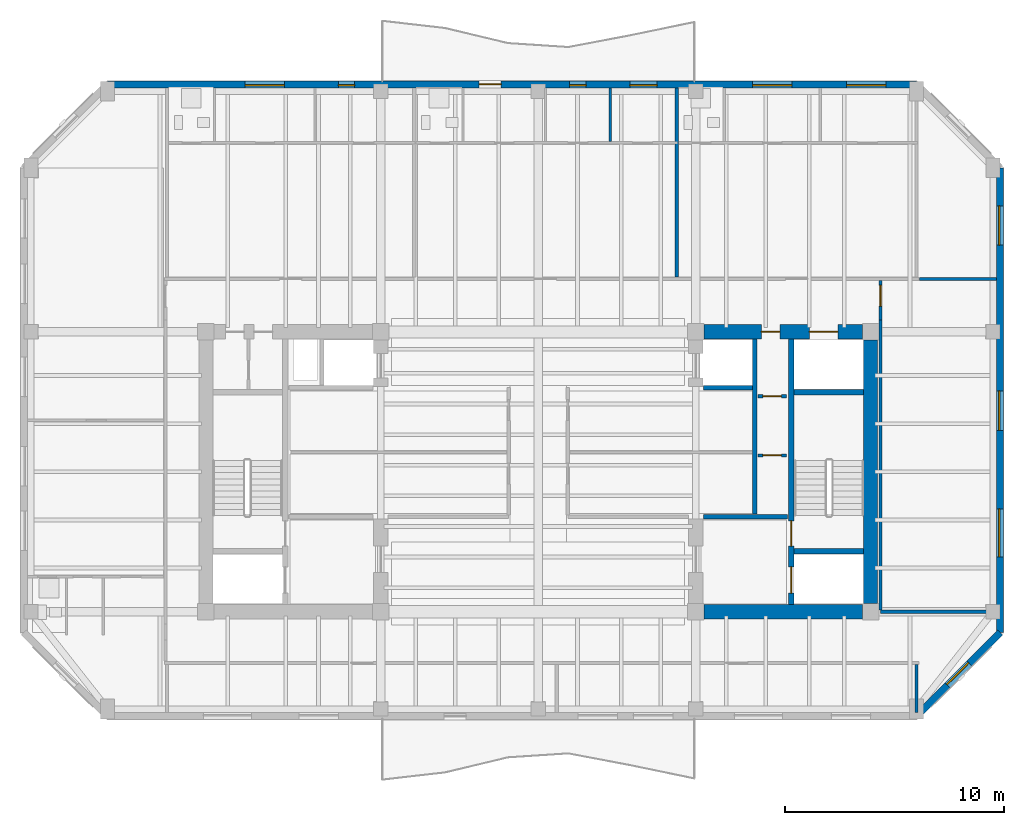
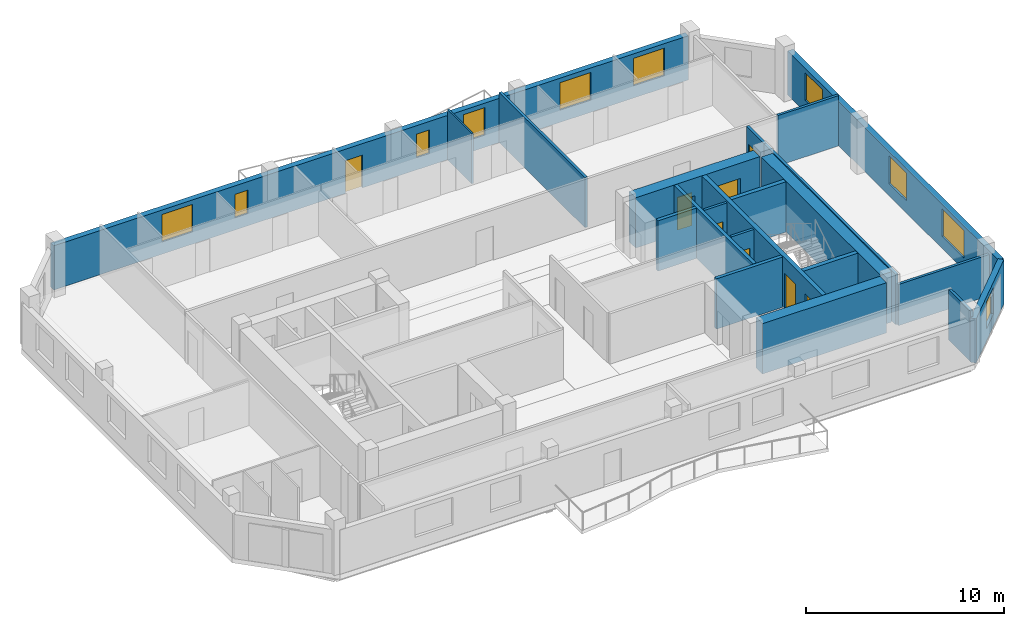
# One storey, part 5 of 10: 21 walls, 10 windows, 8 doors, 18 openings.
"""IFC4 building model written with IfcOpenShell, lengths in metres."""

from ifc_helpers import new_model, si_unit, direction, frame, frame_2d, origin, place, context, subcontext, project, spatial, rectangle, extrude, material, layer, layer_set, type_object, element, fill, save


model = new_model("IFC4")

# Units and contexts
model_context = context("Model", 3, precision=1e-05, world=origin(), true_north=direction((0.0, 1.0)))
body_context = subcontext(model_context, "Body", "Model", "MODEL_VIEW")
ifc_project = project(units=[si_unit("LENGTHUNIT", "METRE"), si_unit("AREAUNIT", "SQUARE_METRE"), si_unit("VOLUMEUNIT", "CUBIC_METRE"), si_unit("PLANEANGLEUNIT", "RADIAN"), si_unit("MASSUNIT", "GRAM", prefix="KILO")], contexts=[model_context])

# Site, building, storey
site_placement = place(None, origin())
site = spatial("IfcSite", under=ifc_project, at=site_placement, CompositionType="ELEMENT")
building_placement = place(site_placement, origin())
building = spatial("IfcBuilding", under=site, at=building_placement, Name="Kranthara Brick Stack", CompositionType="ELEMENT")
storey_placement = place(building_placement, frame((0.0, 0.0, 275.5)))
storey = spatial("IfcBuildingStorey", under=building, at=storey_placement, Name="L73", CompositionType="ELEMENT", Elevation=275.5)

# Wall, openings, door, windows
ifc_material_1 = material(Name="Warm buff clay brick masonry M15", Category="masonry")
ifc_layer_1 = layer(ifc_material_1, 0.320068359375)
ifc_layer_set_1 = layer_set([ifc_layer_1], Name="Warm buff clay brick masonry M15")
wall_type_1 = type_object("IfcWallType", Name="WL-BRK-UPPR-320", PredefinedType="STANDARD", material=ifc_layer_set_1)
wall_1_placement = place(storey_placement, frame((8.300048828125, 44.919921875, 0.0), z_axis=(0.0, 0.0, 1.0), x_axis=(1.0, 0.0, 0.0)))
wall_1 = element("IfcWall", 1, at=wall_1_placement, inside=storey, type_object=wall_type_1, Name="L73 Exterior Brick Facade Wall NORTH 1", PredefinedType="STANDARD", context=body_context, shape_type="SweptSolid", body=[
    extrude(rectangle(XDim=37.0, YDim=0.320068359375, at=frame_2d((18.5, 0.0))), origin(), (0.0, 0.0, 1.0), 2.72509765625),
])
opening_1_placement = place(wall_1_placement, frame((17.0, 0.0, 0.0)))
opening_1 = element("IfcOpeningElement", 2, at=opening_1_placement, cuts=wall_1, Name="Opening D03", PredefinedType="OPENING", context=body_context, shape_type="SweptSolid", body=[
    extrude(rectangle(XDim=1.0, YDim=2.02001953125, at=frame_2d((0.5, 1.010009765625))), frame((0.0, 0.169921875, 0.0), z_axis=(0.0, -1.0, 0.0), x_axis=(1.0, 0.0, 0.0)), (0.0, 0.0, 1.0), 0.340087890625),
])
opening_2_placement = place(wall_1_placement, frame((6.294921875, 0.0, 0.75)))
opening_2 = element("IfcOpeningElement", 3, at=opening_2_placement, cuts=wall_1, Name="Opening WN07", PredefinedType="OPENING", context=body_context, shape_type="SweptSolid", body=[
    extrude(rectangle(XDim=1.800048828125, YDim=1.699951171875, at=frame_2d((0.89990234375, 0.85009765625))), frame((0.0, 0.169921875, 0.0), z_axis=(0.0, -1.0, 0.0), x_axis=(1.0, 0.0, 0.0)), (0.0, 0.0, 1.0), 0.340087890625),
])
opening_3_placement = place(wall_1_placement, frame((23.885986328125, 0.0, 0.75)))
opening_3 = element("IfcOpeningElement", 4, at=opening_3_placement, cuts=wall_1, Name="Opening WN09", PredefinedType="OPENING", context=body_context, shape_type="SweptSolid", body=[
    extrude(rectangle(XDim=1.25, YDim=1.699951171875, at=frame_2d((0.625, 0.85009765625))), frame((0.0, 0.169921875, 0.0), z_axis=(0.0, -1.0, 0.0), x_axis=(1.0, 0.0, 0.0)), (0.0, 0.0, 1.0), 0.340087890625),
])
opening_4_placement = place(wall_1_placement, frame((29.5029296875, 0.0, 0.75)))
opening_4 = element("IfcOpeningElement", 5, at=opening_4_placement, cuts=wall_1, Name="Opening WN07", PredefinedType="OPENING", context=body_context, shape_type="SweptSolid", body=[
    extrude(rectangle(XDim=1.800048828125, YDim=1.699951171875, at=frame_2d((0.89990234375, 0.85009765625))), frame((0.0, 0.169921875, 0.0), z_axis=(0.0, -1.0, 0.0), x_axis=(1.0, 0.0, 0.0)), (0.0, 0.0, 1.0), 0.340087890625),
])
opening_5_placement = place(wall_1_placement, frame((33.798095703125, 0.0, 0.75)))
opening_5 = element("IfcOpeningElement", 6, at=opening_5_placement, cuts=wall_1, Name="Opening WN07", PredefinedType="OPENING", context=body_context, shape_type="SweptSolid", body=[
    extrude(rectangle(XDim=1.800048828125, YDim=1.699951171875, at=frame_2d((0.89990234375, 0.85009765625))), frame((0.0, 0.169921875, 0.0), z_axis=(0.0, -1.0, 0.0), x_axis=(1.0, 0.0, 0.0)), (0.0, 0.0, 1.0), 0.340087890625),
])
opening_6_placement = place(wall_1_placement, frame((10.55810546875, 0.0, 0.75)))
opening_6 = element("IfcOpeningElement", 7, at=opening_6_placement, cuts=wall_1, Name="Opening WN13", PredefinedType="OPENING", context=body_context, shape_type="SweptSolid", body=[
    extrude(rectangle(XDim=0.75, YDim=1.449951171875, at=frame_2d((0.375, 0.72509765625))), frame((0.0, 0.169921875, 0.0), z_axis=(0.0, -1.0, 0.0), x_axis=(1.0, 0.0, 0.0)), (0.0, 0.0, 1.0), 0.340087890625),
])
opening_7_placement = place(wall_1_placement, frame((21.135986328125, 0.0, 0.75)))
opening_7 = element("IfcOpeningElement", 8, at=opening_7_placement, cuts=wall_1, Name="Opening WN13", PredefinedType="OPENING", context=body_context, shape_type="SweptSolid", body=[
    extrude(rectangle(XDim=0.75, YDim=1.449951171875, at=frame_2d((0.375, 0.72509765625))), frame((0.0, 0.169921875, 0.0), z_axis=(0.0, -1.0, 0.0), x_axis=(1.0, 0.0, 0.0)), (0.0, 0.0, 1.0), 0.340087890625),
])
ifc_material_2 = material(Name="Bronze anodised aluminium and laminated glass", Category="aluminium")
door_type_1 = type_object("IfcDoorType", Name="DR-BALC-1000", OperationType="NOTDEFINED", PredefinedType="DOOR", material=ifc_material_2)
door_1_placement = place(opening_1_placement, origin())
door_1 = element("IfcDoor", 9, at=door_1_placement, inside=storey, type_object=door_type_1, Name="L73 North Balcony Terrace Door", OperationType="SINGLE_SWING_RIGHT", OverallHeight=2.02001953125, OverallWidth=1.0, PredefinedType="DOOR", context=body_context, shape_type="SweptSolid", body=[
    extrude(rectangle(XDim=1.0, YDim=2.02001953125, at=frame_2d((0.5, 1.010009765625))), frame((0.0, 0.02490234375, 0.0), z_axis=(0.0, -1.0, 0.0), x_axis=(1.0, 0.0, 0.0)), (0.0, 0.0, 1.0), 0.050048828125),
])
fill(opening_1, door_1)
ifc_material_3 = material(Name="Double-glazed low-E solar control glass", Category="glass")
window_type_1 = type_object("IfcWindowType", Name="WN-CAS-750x1450", PartitioningType="SINGLE_PANEL", PredefinedType="WINDOW", material=ifc_material_3)
window_1_placement = place(opening_6_placement, origin())
window_1 = element("IfcWindow", 10, at=window_1_placement, inside=storey, type_object=window_type_1, Name="L73 North Deep-Set Casement Window 05", OverallHeight=1.449951171875, OverallWidth=0.75, PartitioningType="SINGLE_PANEL", PredefinedType="WINDOW", context=body_context, shape_type="SweptSolid", body=[
    extrude(rectangle(XDim=0.75, YDim=1.449951171875, at=frame_2d((0.375, 0.72509765625))), frame((0.0, -0.010009765625, 0.0), z_axis=(0.0, -1.0, 0.0), x_axis=(1.0, 0.0, 0.0)), (0.0, 0.0, 1.0), 0.06005859375),
])
fill(opening_6, window_1)
window_2_placement = place(opening_7_placement, origin())
window_2 = element("IfcWindow", 11, at=window_2_placement, inside=storey, type_object=window_type_1, Name="L73 North Deep-Set Casement Window 06", OverallHeight=1.449951171875, OverallWidth=0.75, PartitioningType="SINGLE_PANEL", PredefinedType="WINDOW", context=body_context, shape_type="SweptSolid", body=[
    extrude(rectangle(XDim=0.75, YDim=1.449951171875, at=frame_2d((0.375, 0.72509765625))), frame((0.0, -0.010009765625, 0.0), z_axis=(0.0, -1.0, 0.0), x_axis=(1.0, 0.0, 0.0)), (0.0, 0.0, 1.0), 0.06005859375),
])
fill(opening_7, window_2)
ifc_material_4 = material(Name="Double-glazed low-E solar control glass", Category="glass")
window_type_2 = type_object("IfcWindowType", Name="WN-RES-1250x1850", PartitioningType="SINGLE_PANEL", PredefinedType="WINDOW", material=ifc_material_4)
window_3_placement = place(opening_3_placement, origin())
window_3 = element("IfcWindow", 12, at=window_3_placement, inside=storey, type_object=window_type_2, Name="L73 North Deep-Set Brick Window 02", OverallHeight=1.699951171875, OverallWidth=1.25, PartitioningType="SINGLE_PANEL", PredefinedType="WINDOW", context=body_context, shape_type="SweptSolid", body=[
    extrude(rectangle(XDim=1.25, YDim=1.699951171875, at=frame_2d((0.625, 0.85009765625))), frame((0.0, -0.010009765625, 0.0), z_axis=(0.0, -1.0, 0.0), x_axis=(1.0, 0.0, 0.0)), (0.0, 0.0, 1.0), 0.06005859375),
])
fill(opening_3, window_3)
ifc_material_5 = material(Name="Double-glazed low-E solar control glass", Category="glass")
window_type_3 = type_object("IfcWindowType", Name="WN-RES-1800x1850", PartitioningType="DOUBLE_PANEL_VERTICAL", PredefinedType="WINDOW", material=ifc_material_5)
window_4_placement = place(opening_2_placement, origin())
window_4 = element("IfcWindow", 13, at=window_4_placement, inside=storey, type_object=window_type_3, Name="L73 North Deep-Set Brick Window 01", OverallHeight=1.699951171875, OverallWidth=1.800048828125, PartitioningType="SINGLE_PANEL", PredefinedType="WINDOW", context=body_context, shape_type="SweptSolid", body=[
    extrude(rectangle(XDim=1.800048828125, YDim=1.699951171875, at=frame_2d((0.89990234375, 0.85009765625))), frame((0.0, -0.010009765625, 0.0), z_axis=(0.0, -1.0, 0.0), x_axis=(1.0, 0.0, 0.0)), (0.0, 0.0, 1.0), 0.06005859375),
])
fill(opening_2, window_4)
window_5_placement = place(opening_4_placement, origin())
window_5 = element("IfcWindow", 14, at=window_5_placement, inside=storey, type_object=window_type_3, Name="L73 North Deep-Set Brick Window 03", OverallHeight=1.699951171875, OverallWidth=1.800048828125, PartitioningType="SINGLE_PANEL", PredefinedType="WINDOW", context=body_context, shape_type="SweptSolid", body=[
    extrude(rectangle(XDim=1.800048828125, YDim=1.699951171875, at=frame_2d((0.89990234375, 0.85009765625))), frame((0.0, -0.010009765625, 0.0), z_axis=(0.0, -1.0, 0.0), x_axis=(1.0, 0.0, 0.0)), (0.0, 0.0, 1.0), 0.06005859375),
])
fill(opening_4, window_5)
window_6_placement = place(opening_5_placement, origin())
window_6 = element("IfcWindow", 15, at=window_6_placement, inside=storey, type_object=window_type_3, Name="L73 North Deep-Set Brick Window 04", OverallHeight=1.699951171875, OverallWidth=1.800048828125, PartitioningType="SINGLE_PANEL", PredefinedType="WINDOW", context=body_context, shape_type="SweptSolid", body=[
    extrude(rectangle(XDim=1.800048828125, YDim=1.699951171875, at=frame_2d((0.89990234375, 0.85009765625))), frame((0.0, -0.010009765625, 0.0), z_axis=(0.0, -1.0, 0.0), x_axis=(1.0, 0.0, 0.0)), (0.0, 0.0, 1.0), 0.06005859375),
])
fill(opening_5, window_6)

# Wall, openings, windows
wall_2_placement = place(storey_placement, frame((49.1201171875, 41.10009765625, 0.0), z_axis=(0.0, 0.0, 1.0), x_axis=(0.0, -1.0, 0.0)))
wall_2 = element("IfcWall", 16, at=wall_2_placement, inside=storey, type_object=wall_type_1, Name="L73 Exterior Brick Facade Wall EAST 1", PredefinedType="STANDARD", context=body_context, shape_type="SweptSolid", body=[
    extrude(rectangle(XDim=21.25, YDim=0.320068359375, at=frame_2d((10.625, 0.0))), origin(), (0.0, 0.0, 1.0), 2.72509765625),
])
opening_8_placement = place(wall_2_placement, frame((1.739990234375, 0.0, 0.75)))
opening_8 = element("IfcOpeningElement", 17, at=opening_8_placement, cuts=wall_2, Name="Opening WN07", PredefinedType="OPENING", context=body_context, shape_type="SweptSolid", body=[
    extrude(rectangle(XDim=1.800048828125, YDim=1.699951171875, at=frame_2d((0.89990234375, 0.85009765625))), frame((0.0, 0.169921875, 0.0), z_axis=(0.0, -1.0, 0.0), x_axis=(1.0, 0.0, 0.0)), (0.0, 0.0, 1.0), 0.340087890625),
])
opening_9_placement = place(wall_2_placement, frame((10.2041015625, 0.0, 0.75)))
opening_9 = element("IfcOpeningElement", 18, at=opening_9_placement, cuts=wall_2, Name="Opening WN07", PredefinedType="OPENING", context=body_context, shape_type="SweptSolid", body=[
    extrude(rectangle(XDim=1.800048828125, YDim=1.699951171875, at=frame_2d((0.89990234375, 0.85009765625))), frame((0.0, 0.169921875, 0.0), z_axis=(0.0, -1.0, 0.0), x_axis=(1.0, 0.0, 0.0)), (0.0, 0.0, 1.0), 0.340087890625),
])
opening_10_placement = place(wall_2_placement, frame((15.595947265625, 0.0, 0.75)))
opening_10 = element("IfcOpeningElement", 19, at=opening_10_placement, cuts=wall_2, Name="Opening WN08", PredefinedType="OPENING", context=body_context, shape_type="SweptSolid", body=[
    extrude(rectangle(XDim=2.199951171875, YDim=1.699951171875, at=frame_2d((1.10009765625, 0.85009765625))), frame((0.0, 0.169921875, 0.0), z_axis=(0.0, -1.0, 0.0), x_axis=(1.0, 0.0, 0.0)), (0.0, 0.0, 1.0), 0.340087890625),
])
window_7_placement = place(opening_8_placement, origin())
window_7 = element("IfcWindow", 20, at=window_7_placement, inside=storey, type_object=window_type_3, Name="L73 East Deep-Set Brick Window 01", OverallHeight=1.699951171875, OverallWidth=1.800048828125, PartitioningType="SINGLE_PANEL", PredefinedType="WINDOW", context=body_context, shape_type="SweptSolid", body=[
    extrude(rectangle(XDim=1.800048828125, YDim=1.699951171875, at=frame_2d((0.89990234375, 0.85009765625))), frame((0.0, -0.010009765625, 0.0), z_axis=(0.0, -1.0, 0.0), x_axis=(1.0, 0.0, 0.0)), (0.0, 0.0, 1.0), 0.06005859375),
])
fill(opening_8, window_7)
window_8_placement = place(opening_9_placement, origin())
window_8 = element("IfcWindow", 21, at=window_8_placement, inside=storey, type_object=window_type_3, Name="L73 East Deep-Set Brick Window 02", OverallHeight=1.699951171875, OverallWidth=1.800048828125, PartitioningType="SINGLE_PANEL", PredefinedType="WINDOW", context=body_context, shape_type="SweptSolid", body=[
    extrude(rectangle(XDim=1.800048828125, YDim=1.699951171875, at=frame_2d((0.89990234375, 0.85009765625))), frame((0.0, -0.010009765625, 0.0), z_axis=(0.0, -1.0, 0.0), x_axis=(1.0, 0.0, 0.0)), (0.0, 0.0, 1.0), 0.06005859375),
])
fill(opening_9, window_8)
ifc_material_6 = material(Name="Double-glazed low-E solar control glass", Category="glass")
window_type_4 = type_object("IfcWindowType", Name="WN-RES-2200x1850", PartitioningType="TRIPLE_PANEL_VERTICAL", PredefinedType="WINDOW", material=ifc_material_6)
window_9_placement = place(opening_10_placement, origin())
window_9 = element("IfcWindow", 22, at=window_9_placement, inside=storey, type_object=window_type_4, Name="L73 East Deep-Set Brick Window 03", OverallHeight=1.699951171875, OverallWidth=2.199951171875, PartitioningType="SINGLE_PANEL", PredefinedType="WINDOW", context=body_context, shape_type="SweptSolid", body=[
    extrude(rectangle(XDim=2.199951171875, YDim=1.699951171875, at=frame_2d((1.10009765625, 0.85009765625))), frame((0.0, -0.010009765625, 0.0), z_axis=(0.0, -1.0, 0.0), x_axis=(1.0, 0.0, 0.0)), (0.0, 0.0, 1.0), 0.06005859375),
])
fill(opening_10, window_9)

# Wall, opening, window
wall_3_placement = place(storey_placement, frame((49.1201171875, 19.85009765625, 0.0), z_axis=(0.0, 0.0, 1.0), x_axis=(-0.707106781187, -0.707106781187, 0.0)))
wall_3 = element("IfcWall", 23, at=wall_3_placement, inside=storey, type_object=wall_type_1, Name="L73 Exterior Brick Facade Wall SE 1", PredefinedType="STANDARD", context=body_context, shape_type="SweptSolid", body=[
    extrude(rectangle(XDim=5.40234375, YDim=0.320068359375, at=frame_2d((2.701171875, 0.0))), origin(), (0.0, 0.0, 1.0), 2.72509765625),
])
opening_11_placement = place(wall_3_placement, frame((2.0009765625, 0.0, 0.75)))
opening_11 = element("IfcOpeningElement", 24, at=opening_11_placement, cuts=wall_3, Name="Opening WN10", PredefinedType="OPENING", context=body_context, shape_type="SweptSolid", body=[
    extrude(rectangle(XDim=1.39990234375, YDim=1.64990234375, at=frame_2d((0.699951171875, 0.824951171875))), frame((0.0, 0.169921875, 0.0), z_axis=(0.0, -1.0, 0.0), x_axis=(1.0, 0.0, 0.0)), (0.0, 0.0, 1.0), 0.340087890625),
])
ifc_material_7 = material(Name="Double-glazed low-E solar control glass", Category="glass")
window_type_5 = type_object("IfcWindowType", Name="WN-CHM-1400x1750", PartitioningType="SINGLE_PANEL", PredefinedType="WINDOW", material=ifc_material_7)
window_10_placement = place(opening_11_placement, origin())
window_10 = element("IfcWindow", 25, at=window_10_placement, inside=storey, type_object=window_type_5, Name="L73 SE Chamfer Corner Window", OverallHeight=1.64990234375, OverallWidth=1.39990234375, PartitioningType="SINGLE_PANEL", PredefinedType="WINDOW", context=body_context, shape_type="SweptSolid", body=[
    extrude(rectangle(XDim=1.39990234375, YDim=1.64990234375, at=frame_2d((0.699951171875, 0.824951171875))), frame((0.0, -0.010009765625, 0.0), z_axis=(0.0, -1.0, 0.0), x_axis=(1.0, 0.0, 0.0)), (0.0, 0.0, 1.0), 0.06005859375),
])
fill(opening_11, window_10)

# Wall, openings, doors
ifc_material_8 = material(Name="Concrete C50/60", Category="concrete")
ifc_layer_2 = layer(ifc_material_8, 0.25)
ifc_layer_set_2 = layer_set([ifc_layer_2], Name="Concrete C50/60")
wall_type_2 = type_object("IfcWallType", Name="WL-CORE-250", PredefinedType="SHEAR", material=ifc_layer_set_2)
wall_4_placement = place(storey_placement, frame((39.56494140625, 21.135009765625, 0.0), z_axis=(0.0, 0.0, 1.0), x_axis=(0.0, 1.0, 0.0)))
wall_4 = element("IfcWall", 26, at=wall_4_placement, inside=storey, type_object=wall_type_2, Name="L73 East Core Stair Bearing Spine Wall", PredefinedType="SHEAR", context=body_context, shape_type="SweptSolid", body=[
    extrude(rectangle(XDim=12.1298828125, YDim=0.25, at=frame_2d((6.06494140625, 0.0))), origin(), (0.0, 0.0, 1.0), 3.10009765625),
])
opening_12_placement = place(wall_4_placement, frame((0.514892578125, 0.0, 0.0)))
opening_12 = element("IfcOpeningElement", 27, at=opening_12_placement, cuts=wall_4, Name="Opening LD01", PredefinedType="OPENING", context=body_context, shape_type="SweptSolid", body=[
    extrude(rectangle(XDim=1.199951171875, YDim=2.14990234375, at=frame_2d((0.60009765625, 1.074951171875))), frame((0.0, 0.135009765625, 0.0), z_axis=(0.0, -1.0, 0.0), x_axis=(1.0, 0.0, 0.0)), (0.0, 0.0, 1.0), 0.27001953125),
])
opening_13_placement = place(wall_4_placement, frame((2.6650390625, 0.0, 0.0)))
opening_13 = element("IfcOpeningElement", 28, at=opening_13_placement, cuts=wall_4, Name="Opening D05", PredefinedType="OPENING", context=body_context, shape_type="SweptSolid", body=[
    extrude(rectangle(XDim=1.14990234375, YDim=2.14990234375, at=frame_2d((0.574951171875, 1.074951171875))), frame((0.0, 0.135009765625, 0.0), z_axis=(0.0, -1.0, 0.0), x_axis=(1.0, 0.0, 0.0)), (0.0, 0.0, 1.0), 0.27001953125),
])
ifc_material_9 = material(Name="Stainless steel sliding landing door", Category="steel")
door_type_2 = type_object("IfcDoorType", Name="DR-LD-FF1200", OperationType="DOUBLE_DOOR_SLIDING", PredefinedType="DOOR", material=ifc_material_9)
door_2_placement = place(opening_12_placement, origin())
door_2 = element("IfcDoor", 29, at=door_2_placement, inside=storey, type_object=door_type_2, Name="L73 Firefighting Lift FF-02 Landing Door", OperationType="DOUBLE_DOOR_SLIDING", OverallHeight=2.14990234375, OverallWidth=1.199951171875, PredefinedType="DOOR", context=body_context, shape_type="SweptSolid", body=[
    extrude(rectangle(XDim=1.199951171875, YDim=2.14990234375, at=frame_2d((0.60009765625, 1.074951171875))), frame((0.0, 0.02490234375, 0.0), z_axis=(0.0, -1.0, 0.0), x_axis=(1.0, 0.0, 0.0)), (0.0, 0.0, 1.0), 0.050048828125),
])
fill(opening_12, door_2)
ifc_material_10 = material(Name="Solid-core hardwood timber leaf in steel frame", Category="steel")
door_type_3 = type_object("IfcDoorType", Name="DR-ST-1150", OperationType="NOTDEFINED", PredefinedType="DOOR", material=ifc_material_10)
door_3_placement = place(opening_13_placement, origin())
door_3 = element("IfcDoor", 30, at=door_3_placement, inside=storey, type_object=door_type_3, Name="L73 Exit Stair ST02 Door", OperationType="SINGLE_SWING_LEFT", OverallHeight=2.14990234375, OverallWidth=1.14990234375, PredefinedType="DOOR", context=body_context, shape_type="SweptSolid", body=[
    extrude(rectangle(XDim=1.14990234375, YDim=2.14990234375, at=frame_2d((0.574951171875, 1.074951171875))), frame((0.0, 0.02490234375, 0.0), z_axis=(0.0, -1.0, 0.0), x_axis=(1.0, 0.0, 0.0)), (0.0, 0.0, 1.0), 0.050048828125),
])
fill(opening_13, door_3)

# Walls
for number, where, z_axis, x_axis, name in (
    (31, (39.68994140625, 23.570068359375, 0.0), (0.0, 0.0, 1.0), (1.0, 0.0, 0.0), "L73 East Stairwell Bearing Wall EFF"),
    (32, (39.68994140625, 30.830078125, 0.0), (0.0, 0.0, 1.0), (1.0, 0.0, 0.0), "L73 East Stairwell Bearing Wall EST"),
):
    element("IfcWall", number, at=place(storey_placement, frame(where, z_axis=z_axis, x_axis=x_axis)), inside=storey, type_object=wall_type_2, Name=name, PredefinedType="SHEAR", context=body_context, shape_type="SweptSolid", body=[
        extrude(rectangle(XDim=3.175048828125, YDim=0.25, at=frame_2d((1.58740234375, 0.0))), origin(), (0.0, 0.0, 1.0), 3.10009765625),
    ])
ifc_material_11 = material(Name="Concrete C60/75", Category="concrete")
ifc_layer_3 = layer(ifc_material_11, 0.64990234375)
ifc_layer_set_3 = layer_set([ifc_layer_3], Name="Concrete C60/75")
wall_type_3 = type_object("IfcWallType", Name="WL-CORE-650", PredefinedType="SHEAR", material=ifc_layer_set_3)
wall_5_placement = place(storey_placement, frame((43.199951171875, 21.179931640625, 0.0), z_axis=(0.0, 0.0, 1.0), x_axis=(0.0, 1.0, 0.0)))
element("IfcWall", 33, at=wall_5_placement, inside=storey, type_object=wall_type_3, Name="L73 East Core Shear Wall East", PredefinedType="SHEAR", context=body_context, shape_type="SweptSolid", body=[
    extrude(rectangle(XDim=12.0400390625, YDim=0.64990234375, at=frame_2d((6.02001953125, 0.0))), origin(), (0.0, 0.0, 1.0), 3.10009765625),
])
wall_6_placement = place(storey_placement, frame((35.580078125, 20.800048828125, 0.0), z_axis=(0.0, 0.0, 1.0), x_axis=(1.0, 0.0, 0.0)))
element("IfcWall", 34, at=wall_6_placement, inside=storey, type_object=wall_type_3, Name="L73 East Core Shear Wall South", PredefinedType="SHEAR", context=body_context, shape_type="SweptSolid", body=[
    extrude(rectangle(XDim=7.239990234375, YDim=0.64990234375, at=frame_2d((3.6201171875, 0.0))), origin(), (0.0, 0.0, 1.0), 3.10009765625),
])

# Wall, openings, doors
wall_7_placement = place(storey_placement, frame((35.580078125, 33.60009765625, 0.0), z_axis=(0.0, 0.0, 1.0), x_axis=(1.0, 0.0, 0.0)))
wall_7 = element("IfcWall", 35, at=wall_7_placement, inside=storey, type_object=wall_type_3, Name="L73 East Core Shear Wall North", PredefinedType="SHEAR", context=body_context, shape_type="SweptSolid", body=[
    extrude(rectangle(XDim=7.239990234375, YDim=0.64990234375, at=frame_2d((3.6201171875, 0.0))), origin(), (0.0, 0.0, 1.0), 3.10009765625),
])
opening_14_placement = place(wall_7_placement, frame((4.820068359375, 0.0, 0.0)))
opening_14 = element("IfcOpeningElement", 36, at=opening_14_placement, cuts=wall_7, Name="Opening LD03", PredefinedType="OPENING", context=body_context, shape_type="SweptSolid", body=[
    extrude(rectangle(XDim=1.300048828125, YDim=2.14990234375, at=frame_2d((0.64990234375, 1.074951171875))), frame((0.0, 0.3349609375, 0.0), z_axis=(0.0, -1.0, 0.0), x_axis=(1.0, 0.0, 0.0)), (0.0, 0.0, 1.0), 0.669921875),
])
opening_15_placement = place(wall_7_placement, frame((2.6201171875, 0.0, 0.0)))
opening_15 = element("IfcOpeningElement", 37, at=opening_15_placement, cuts=wall_7, Name="Opening D10", PredefinedType="OPENING", context=body_context, shape_type="SweptSolid", body=[
    extrude(rectangle(XDim=0.85009765625, YDim=2.02001953125, at=frame_2d((0.425048828125, 1.010009765625))), frame((0.0, 0.3349609375, 0.0), z_axis=(0.0, -1.0, 0.0), x_axis=(1.0, 0.0, 0.0)), (0.0, 0.0, 1.0), 0.669921875),
])
ifc_material_12 = material(Name="Stainless steel sliding landing door", Category="steel")
door_type_4 = type_object("IfcDoorType", Name="DR-LD-SV1300", OperationType="DOUBLE_DOOR_SLIDING", PredefinedType="DOOR", material=ifc_material_12)
door_4_placement = place(opening_14_placement, origin())
door_4 = element("IfcDoor", 38, at=door_4_placement, inside=storey, type_object=door_type_4, Name="L73 Stretcher Service Lift SV-01 Landing Door", OperationType="DOUBLE_DOOR_SLIDING", OverallHeight=2.14990234375, OverallWidth=1.300048828125, PredefinedType="DOOR", context=body_context, shape_type="SweptSolid", body=[
    extrude(rectangle(XDim=1.300048828125, YDim=2.14990234375, at=frame_2d((0.64990234375, 1.074951171875))), frame((0.0, 0.02490234375, 0.0), z_axis=(0.0, -1.0, 0.0), x_axis=(1.0, 0.0, 0.0)), (0.0, 0.0, 1.0), 0.050048828125),
])
fill(opening_14, door_4)
ifc_material_13 = material(Name="Solid-core hardwood timber leaf in steel frame", Category="steel")
door_type_5 = type_object("IfcDoorType", Name="DR-RSR-850", OperationType="NOTDEFINED", PredefinedType="DOOR", material=ifc_material_13)
door_5_placement = place(opening_15_placement, origin())
door_5 = element("IfcDoor", 39, at=door_5_placement, inside=storey, type_object=door_type_5, Name="L73 East Core Service Room Door", OperationType="SINGLE_SWING_LEFT", OverallHeight=2.02001953125, OverallWidth=0.85009765625, PredefinedType="DOOR", context=body_context, shape_type="SweptSolid", body=[
    extrude(rectangle(XDim=0.85009765625, YDim=2.02001953125, at=frame_2d((0.425048828125, 1.010009765625))), frame((0.0, 0.02490234375, 0.0), z_axis=(0.0, -1.0, 0.0), x_axis=(1.0, 0.0, 0.0)), (0.0, 0.0, 1.0), 0.050048828125),
])
fill(opening_15, door_5)

# Wall
ifc_material_14 = material(Name="Moisture-resistant wet-room partition", Category="other")
ifc_layer_4 = layer(ifc_material_14, 0.10009765625)
ifc_layer_set_4 = layer_set([ifc_layer_4], Name="Moisture-resistant wet-room partition")
wall_type_4 = type_object("IfcWallType", Name="WL-PART-100", PredefinedType="PARTITIONING", material=ifc_layer_set_4)
wall_8_placement = place(storey_placement, frame((31.291015625, 42.304931640625, 0.0), z_axis=(0.0, 0.0, 1.0), x_axis=(0.0, 1.0, 0.0)))
element("IfcWall", 40, at=wall_8_placement, inside=storey, type_object=wall_type_4, Name="L73 Interior Partition 023", PredefinedType="PARTITIONING", context=body_context, shape_type="SweptSolid", body=[
    extrude(rectangle(XDim=2.449951171875, YDim=0.10009765625, at=frame_2d((1.22509765625, 0.0))), origin(), (0.0, 0.0, 1.0), 3.10009765625),
])

# Wall, opening, door
ifc_material_15 = material(Name="Fire-rated gypsum board partition", Category="other")
ifc_layer_5 = layer(ifc_material_15, 0.14990234375)
ifc_layer_set_5 = layer_set([ifc_layer_5], Name="Fire-rated gypsum board partition")
wall_type_5 = type_object("IfcWallType", Name="WL-PART-150", PredefinedType="PARTITIONING", material=ifc_layer_set_5)
wall_9_placement = place(storey_placement, frame((38.050048828125, 27.949951171875, 0.0), z_axis=(0.0, 0.0, 1.0), x_axis=(1.0, 0.0, 0.0)))
wall_9 = element("IfcWall", 41, at=wall_9_placement, inside=storey, type_object=wall_type_5, Name="L73 Interior Partition 002", PredefinedType="PARTITIONING", context=body_context, shape_type="SweptSolid", body=[
    extrude(rectangle(XDim=1.300048828125, YDim=0.14990234375, at=frame_2d((0.64990234375, 0.0))), origin(), (0.0, 0.0, 1.0), 3.10009765625),
])
opening_16_placement = place(wall_9_placement, frame((0.219970703125, 0.0, 0.0)))
opening_16 = element("IfcOpeningElement", 42, at=opening_16_placement, cuts=wall_9, Name="Opening D10", PredefinedType="OPENING", context=body_context, shape_type="SweptSolid", body=[
    extrude(rectangle(XDim=0.85009765625, YDim=2.02001953125, at=frame_2d((0.425048828125, 1.010009765625))), frame((0.0, 0.0849609375, 0.0), z_axis=(0.0, -1.0, 0.0), x_axis=(1.0, 0.0, 0.0)), (0.0, 0.0, 1.0), 0.169921875),
])
door_6_placement = place(opening_16_placement, origin())
door_6 = element("IfcDoor", 43, at=door_6_placement, inside=storey, type_object=door_type_5, Name="L73 Riser Door 1 02", OperationType="SINGLE_SWING_RIGHT", OverallHeight=2.02001953125, OverallWidth=0.85009765625, PredefinedType="DOOR", context=body_context, shape_type="SweptSolid", body=[
    extrude(rectangle(XDim=0.85009765625, YDim=2.02001953125, at=frame_2d((0.425048828125, 1.010009765625))), frame((0.0, 0.02490234375, 0.0), z_axis=(0.0, -1.0, 0.0), x_axis=(1.0, 0.0, 0.0)), (0.0, 0.0, 1.0), 0.050048828125),
])
fill(opening_16, door_6)

wall_10_placement = place(storey_placement, frame((38.050048828125, 30.64990234375, 0.0), z_axis=(0.0, 0.0, 1.0), x_axis=(1.0, 0.0, 0.0)))
wall_10 = element("IfcWall", 44, at=wall_10_placement, inside=storey, type_object=wall_type_5, Name="L73 Interior Partition 003", PredefinedType="PARTITIONING", context=body_context, shape_type="SweptSolid", body=[
    extrude(rectangle(XDim=1.300048828125, YDim=0.14990234375, at=frame_2d((0.64990234375, 0.0))), origin(), (0.0, 0.0, 1.0), 3.10009765625),
])
opening_17_placement = place(wall_10_placement, frame((0.219970703125, 0.0, 0.0)))
opening_17 = element("IfcOpeningElement", 45, at=opening_17_placement, cuts=wall_10, Name="Opening D10", PredefinedType="OPENING", context=body_context, shape_type="SweptSolid", body=[
    extrude(rectangle(XDim=0.85009765625, YDim=2.02001953125, at=frame_2d((0.425048828125, 1.010009765625))), frame((0.0, 0.0849609375, 0.0), z_axis=(0.0, -1.0, 0.0), x_axis=(1.0, 0.0, 0.0)), (0.0, 0.0, 1.0), 0.169921875),
])
door_7_placement = place(opening_17_placement, origin())
door_7 = element("IfcDoor", 46, at=door_7_placement, inside=storey, type_object=door_type_5, Name="L73 Riser Door 2 03", OperationType="SINGLE_SWING_LEFT", OverallHeight=2.02001953125, OverallWidth=0.85009765625, PredefinedType="DOOR", context=body_context, shape_type="SweptSolid", body=[
    extrude(rectangle(XDim=0.85009765625, YDim=2.02001953125, at=frame_2d((0.425048828125, 1.010009765625))), frame((0.0, 0.02490234375, 0.0), z_axis=(0.0, -1.0, 0.0), x_axis=(1.0, 0.0, 0.0)), (0.0, 0.0, 1.0), 0.050048828125),
])
fill(opening_17, door_7)

# Walls
wall_11_placement = place(storey_placement, frame((45.300048828125, 16.195068359375, 0.0), z_axis=(0.0, 0.0, 1.0), x_axis=(0.0, 1.0, 0.0)))
element("IfcWall", 47, at=wall_11_placement, inside=storey, type_object=wall_type_5, Name="L73 Interior Partition 013", PredefinedType="PARTITIONING", context=body_context, shape_type="SweptSolid", body=[
    extrude(rectangle(XDim=2.184814453125, YDim=0.14990234375, at=frame_2d((1.09228515625, 0.0))), origin(), (0.0, 0.0, 1.0), 3.10009765625),
])
wall_12_placement = place(storey_placement, frame((34.330078125, 36.10009765625, 0.0), z_axis=(0.0, 0.0, 1.0), x_axis=(0.0, 1.0, 0.0)))
element("IfcWall", 48, at=wall_12_placement, inside=storey, type_object=wall_type_5, Name="L73 Interior Partition 024", PredefinedType="PARTITIONING", context=body_context, shape_type="SweptSolid", body=[
    extrude(rectangle(XDim=8.65478515625, YDim=0.14990234375, at=frame_2d((4.327392578125, 0.0))), origin(), (0.0, 0.0, 1.0), 3.10009765625),
])
wall_13_placement = place(storey_placement, frame((43.64990234375, 20.800048828125, 0.0), z_axis=(0.0, 0.0, 1.0), x_axis=(1.0, 0.0, 0.0)))
element("IfcWall", 49, at=wall_13_placement, inside=storey, type_object=wall_type_5, Name="L73 Interior Partition 038", PredefinedType="PARTITIONING", context=body_context, shape_type="SweptSolid", body=[
    extrude(rectangle(XDim=5.30517578125, YDim=0.14990234375, at=frame_2d((2.652587890625, 0.0))), origin(), (0.0, 0.0, 1.0), 2.534912109375),
])
wall_14_placement = place(storey_placement, frame((45.429931640625, 36.02001953125, 0.0), z_axis=(0.0, 0.0, 1.0), x_axis=(1.0, 0.0, 0.0)))
element("IfcWall", 50, at=wall_14_placement, inside=storey, type_object=wall_type_5, Name="L73 Interior Partition 039", PredefinedType="PARTITIONING", context=body_context, shape_type="SweptSolid", body=[
    extrude(rectangle(XDim=3.525146484375, YDim=0.14990234375, at=frame_2d((1.7626953125, 0.0))), origin(), (0.0, 0.0, 1.0), 3.10009765625),
])
wall_15_placement = place(storey_placement, frame((43.64990234375, 20.8798828125, 0.0), z_axis=(0.0, 0.0, 1.0), x_axis=(0.0, 1.0, 0.0)))
element("IfcWall", 51, at=wall_15_placement, inside=storey, type_object=wall_type_5, Name="L73 Interior Partition 040", PredefinedType="PARTITIONING", context=body_context, shape_type="SweptSolid", body=[
    extrude(rectangle(XDim=13.27001953125, YDim=0.14990234375, at=frame_2d((6.635009765625, 0.0))), origin(), (0.0, 0.0, 1.0), 3.10009765625),
])

# Wall, opening, door
wall_16_placement = place(storey_placement, frame((43.64990234375, 34.14990234375, 0.0), z_axis=(0.0, 0.0, 1.0), x_axis=(0.0, 1.0, 0.0)))
wall_16 = element("IfcWall", 52, at=wall_16_placement, inside=storey, type_object=wall_type_5, Name="L73 Interior Partition 041", PredefinedType="PARTITIONING", context=body_context, shape_type="SweptSolid", body=[
    extrude(rectangle(XDim=1.7900390625, YDim=0.14990234375, at=frame_2d((0.89501953125, 0.0))), origin(), (0.0, 0.0, 1.0), 3.10009765625),
])
opening_18_placement = place(wall_16_placement, frame((0.6298828125, 0.0, 0.0)))
opening_18 = element("IfcOpeningElement", 53, at=opening_18_placement, cuts=wall_16, Name="Opening D09", PredefinedType="OPENING", context=body_context, shape_type="SweptSolid", body=[
    extrude(rectangle(XDim=0.949951171875, YDim=2.10009765625, at=frame_2d((0.47509765625, 1.050048828125))), frame((0.0, 0.0849609375, 0.0), z_axis=(0.0, -1.0, 0.0), x_axis=(1.0, 0.0, 0.0)), (0.0, 0.0, 1.0), 0.169921875),
])
ifc_material_16 = material(Name="Solid-core hardwood timber leaf in steel frame", Category="steel")
door_type_6 = type_object("IfcDoorType", Name="DR-FD-950", OperationType="NOTDEFINED", PredefinedType="DOOR", material=ifc_material_16)
door_8_placement = place(opening_18_placement, origin())
door_8 = element("IfcDoor", 54, at=door_8_placement, inside=storey, type_object=door_type_6, Name="L73 East Sky Conservatory Door 28", OperationType="SINGLE_SWING_RIGHT", OverallHeight=2.10009765625, OverallWidth=0.949951171875, PredefinedType="DOOR", context=body_context, shape_type="SweptSolid", body=[
    extrude(rectangle(XDim=0.949951171875, YDim=2.10009765625, at=frame_2d((0.47509765625, 1.050048828125))), frame((0.0, 0.02490234375, 0.0), z_axis=(0.0, -1.0, 0.0), x_axis=(1.0, 0.0, 0.0)), (0.0, 0.0, 1.0), 0.050048828125),
])
fill(opening_18, door_8)

# Walls
ifc_material_17 = material(Name="Concrete C40/50", Category="concrete")
ifc_layer_6 = layer(ifc_material_17, 0.199951171875)
ifc_layer_set_6 = layer_set([ifc_layer_6], Name="Concrete C40/50")
wall_type_6 = type_object("IfcWallType", Name="WL-PART-200", PredefinedType="SOLIDWALL", material=ifc_layer_set_6)
wall_17_placement = place(storey_placement, frame((35.550048828125, 25.14990234375, 0.0), z_axis=(0.0, 0.0, 1.0), x_axis=(1.0, 0.0, 0.0)))
element("IfcWall", 55, at=wall_17_placement, inside=storey, type_object=wall_type_6, Name="L73 East Core Cross Wall EFL", PredefinedType="SOLIDWALL", context=body_context, shape_type="SweptSolid", body=[
    extrude(rectangle(XDim=3.849853515625, YDim=0.199951171875, at=frame_2d((1.9248046875, 0.0))), origin(), (0.0, 0.0, 1.0), 3.10009765625),
])
wall_18_placement = place(storey_placement, frame((35.550048828125, 31.050048828125, 0.0), z_axis=(0.0, 0.0, 1.0), x_axis=(1.0, 0.0, 0.0)))
element("IfcWall", 56, at=wall_18_placement, inside=storey, type_object=wall_type_6, Name="L73 East Core Cross Wall EE4", PredefinedType="SOLIDWALL", context=body_context, shape_type="SweptSolid", body=[
    extrude(rectangle(XDim=2.25, YDim=0.199951171875, at=frame_2d((1.125, 0.0))), origin(), (0.0, 0.0, 1.0), 3.10009765625),
])
wall_19_placement = place(storey_placement, frame((37.89990234375, 25.27001953125, 0.0), z_axis=(0.0, 0.0, 1.0), x_axis=(0.0, 1.0, 0.0)))
element("IfcWall", 57, at=wall_19_placement, inside=storey, type_object=wall_type_6, Name="L73 East Core Cross Wall ESV", PredefinedType="SOLIDWALL", context=body_context, shape_type="SweptSolid", body=[
    extrude(rectangle(XDim=7.994873046875, YDim=0.199951171875, at=frame_2d((3.99755859375, 0.0))), origin(), (0.0, 0.0, 1.0), 3.10009765625),
])

save(model, "model.ifc")
